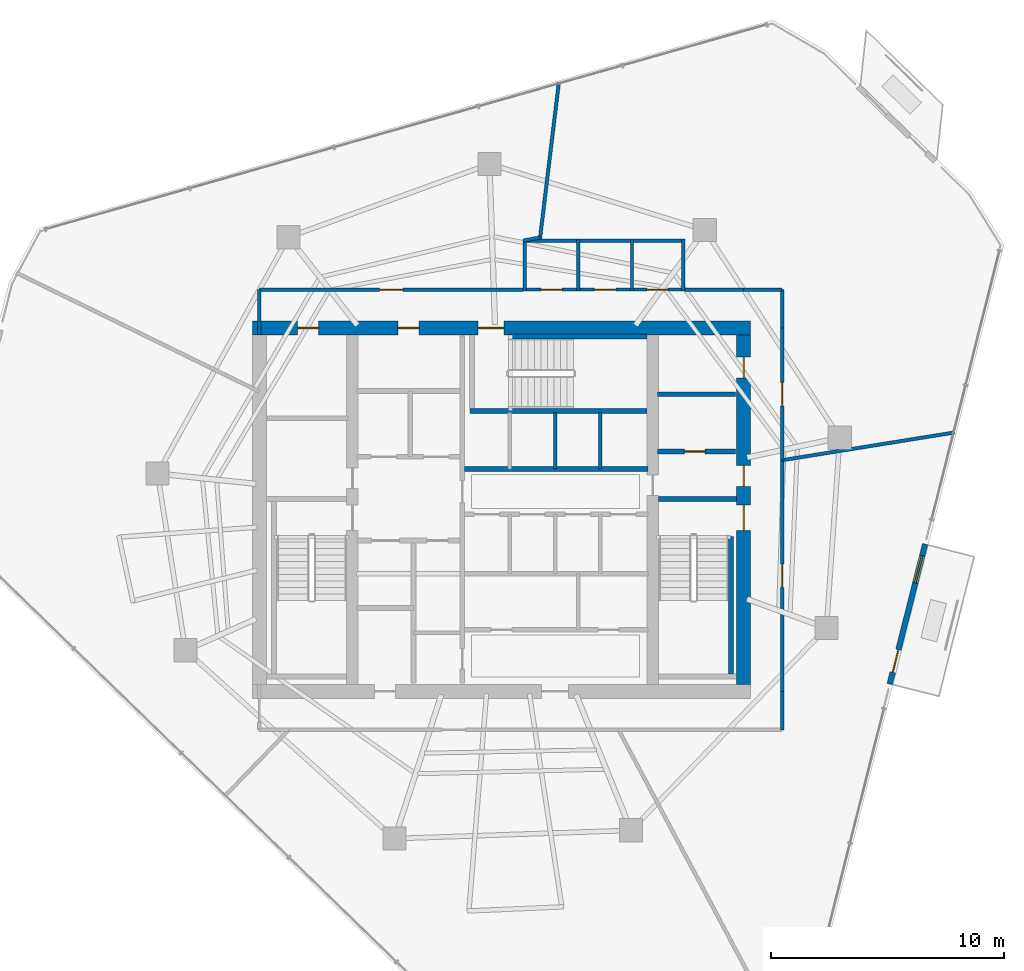
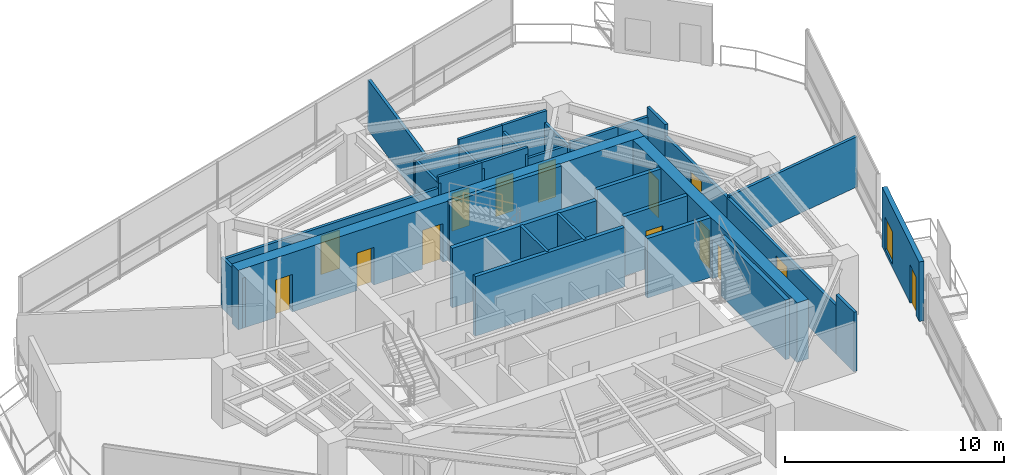
# One storey, part 16 of 19: 33 walls, 14 doors, 1 window, 15 openings.
"""IFC4 building model written with IfcOpenShell, lengths in metres."""

import ifcopenshell
import ifcopenshell.guid

model = None  # the IFC model being written
_history = None  # IfcOwnerHistory: only IFC2X3 demands one
_inside = {}  # id of a spatial element -> (the spatial element, [elements in it])
_under = {}  # id of a project, library or spatial element -> (it, [spatial elements below it])
_declared = {}  # id of a project -> (the project, [libraries it declares])
_typed = {}  # id of a type object -> (the type object, [elements of that type])
_made_of = {}  # id of a material, layer set ... -> (it, [elements and type objects made of it])


def new_model(schema):
    """Start an empty IFC model of exactly this schema.

    Asked for "IFC4X3", IfcOpenShell would pick the latest addendum, in which some entities
    have other attributes; the version numbers below select the first issue.
    IFC2X3 requires an IfcOwnerHistory on every rooted entity: one is made here for all.
    """
    global model, _history
    if schema == "IFC4X3":
        model = ifcopenshell.file(schema_version=(4, 3, 0, 0))
    else:
        model = ifcopenshell.file(schema=schema)
    _inside.clear()
    _under.clear()
    _declared.clear()
    _typed.clear()
    _made_of.clear()
    _history = None
    if model.schema == "IFC2X3":
        org = make("IfcOrganization", Name="unknown")
        user = make(
            "IfcPersonAndOrganization",
            ThePerson=make("IfcPerson", FamilyName="unknown"),
            TheOrganization=org,
        )
        app = make(
            "IfcApplication",
            ApplicationDeveloper=org,
            Version="unknown",
            ApplicationFullName="unknown",
            ApplicationIdentifier="unknown",
        )
        _history = make(
            "IfcOwnerHistory",
            OwningUser=user,
            OwningApplication=app,
            ChangeAction="ADDED",
            CreationDate=0,
        )
    return model


def make(cls, **values):
    """One entity of the class cls with the attributes given. An attribute that is None is left unset."""
    return model.create_entity(
        cls, **{name: value for name, value in values.items() if value is not None}
    )


def rooted(cls, **values):
    """An entity with a GlobalId (a new one), such as an element, a storey or a relation."""
    return make(cls, GlobalId=ifcopenshell.guid.new(), OwnerHistory=_history, **values)


def si_unit(unit_type, name, prefix=None):
    """IfcSIUnit, for example si_unit("LENGTHUNIT", "METRE", prefix="MILLI")."""
    return make("IfcSIUnit", UnitType=unit_type, Prefix=prefix, Name=name)


def assignment(units):
    """IfcUnitAssignment: the units of a project."""
    return None if units is None else make("IfcUnitAssignment", Units=units)


def point(xyz):
    """IfcCartesianPoint."""
    return None if xyz is None else make("IfcCartesianPoint", Coordinates=xyz)


def direction(xyz):
    """IfcDirection."""
    return None if xyz is None else make("IfcDirection", DirectionRatios=xyz)


def frame(location, z_axis=None, x_axis=None):
    """IfcAxis2Placement3D, a coordinate frame: its origin and axes. An axis left out is left unset."""
    return make(
        "IfcAxis2Placement3D",
        Location=point(location),
        Axis=direction(z_axis),
        RefDirection=direction(x_axis),
    )


def frame_2d(location, x_axis=None):
    """IfcAxis2Placement2D, a coordinate frame in the plane: its origin and x axis."""
    return make(
        "IfcAxis2Placement2D", Location=point(location), RefDirection=direction(x_axis)
    )


def origin():
    """The frame at (0, 0, 0) with its axes left unset."""
    return frame((0.0, 0.0, 0.0))


def place(relative_to, where):
    """IfcLocalPlacement: puts the frame where relative to a parent placement (None: the world)."""
    return make(
        "IfcLocalPlacement", PlacementRelTo=relative_to, RelativePlacement=where
    )


def context(
    kind, dimensions, precision=None, world=None, true_north=None, identifier=None
):
    """IfcGeometricRepresentationContext, for example the 3D "Model" context."""
    return make(
        "IfcGeometricRepresentationContext",
        ContextIdentifier=identifier,
        ContextType=kind,
        CoordinateSpaceDimension=dimensions,
        Precision=precision,
        WorldCoordinateSystem=world,
        TrueNorth=true_north,
    )


def subcontext(parent, identifier, kind, view, scale=None):
    """IfcGeometricRepresentationSubContext, for example "Body" below "Model"."""
    return make(
        "IfcGeometricRepresentationSubContext",
        ContextIdentifier=identifier,
        ContextType=kind,
        ParentContext=parent,
        TargetScale=scale,
        TargetView=view,
    )


def project(units=None, contexts=None):
    """IfcProject with its units and contexts."""
    return rooted(
        "IfcProject",
        Name="project",
        RepresentationContexts=contexts,
        UnitsInContext=assignment(units),
    )


def spatial(cls, under=None, at=None, **own):
    """A site, building, storey or space (cls), placed at a placement, below another one or the project."""
    s = rooted(cls, ObjectPlacement=at, **own)
    if under is not None:
        _under.setdefault(under.id(), (under, []))[1].append(s)
    return s


def profile(cls, at=None, kind="AREA", **sizes):
    """A parametric profile (cls). Its sizes go by their IFC names, for example OverallWidth=200.0."""
    return make(cls, ProfileType=kind, Position=at, **sizes)


def rectangle(**sizes):
    """IfcRectangleProfileDef."""
    return profile("IfcRectangleProfileDef", **sizes)


def extrude(swept, where, along, depth):
    """IfcExtrudedAreaSolid: the profile swept, set in the frame where, extruded along a direction by depth."""
    return make(
        "IfcExtrudedAreaSolid",
        SweptArea=swept,
        Position=where,
        ExtrudedDirection=direction(along),
        Depth=depth,
    )


def shape(context_of_items, identifier, shape_type, items):
    """IfcShapeRepresentation: the items that make up one representation, for example the "Body"."""
    return make(
        "IfcShapeRepresentation",
        ContextOfItems=context_of_items,
        RepresentationIdentifier=identifier,
        RepresentationType=shape_type,
        Items=items,
    )


def material(Name=None, Category=None):
    """IfcMaterial."""
    return make("IfcMaterial", Name=Name, Category=Category)


def layer(
    of_material, thickness, ventilated=None, Name=None, Category=None, Priority=None
):
    """IfcMaterialLayer: one layer of a wall or slab, of a material (None: an air gap)."""
    return make(
        "IfcMaterialLayer",
        Material=of_material,
        LayerThickness=thickness,
        IsVentilated=ventilated,
        Name=Name,
        Category=Category,
        Priority=Priority,
    )


def layer_set(layers, Name=None):
    """IfcMaterialLayerSet."""
    return make("IfcMaterialLayerSet", MaterialLayers=layers, LayerSetName=Name)


def made_of(thing, what):
    """Note that an element or type object is made of a material, layer set ...; save() writes the relation."""
    if what is not None:
        _made_of.setdefault(what.id(), (what, []))[1].append(thing)
    return thing


def type_object(cls, material=None, **own):
    """A type object (cls), such as IfcWallType, which elements share."""
    return made_of(rooted(cls, **own), material)


def element(
    cls,
    number,
    at=None,
    inside=None,
    cuts=None,
    type_object=None,
    material=None,
    context=None,
    identifier="Body",
    shape_type=None,
    held_by="IfcProductDefinitionShape",
    body=None,
    shapes=None,
    **own,
):
    """One element of the class cls, such as IfcWall. Its Tag is "e" and its number.

    at: its placement. inside: the storey or other place that contains it. cuts: it is an
    opening in that element (IfcRelVoidsElement). A single representation is given by context,
    identifier, shape_type and body (its items); several are given by shapes. held_by: the class
    of the entity that holds the representations. save() writes the other relations.
    """
    e = rooted(cls, Tag="e%d" % number, ObjectPlacement=at, **own)
    if body is not None:
        shapes = [shape(context, identifier, shape_type, body)]
    if shapes is not None:
        e.Representation = make(held_by, Representations=shapes)
    if inside is not None:
        _inside.setdefault(inside.id(), (inside, []))[1].append(e)
    if cuts is not None:
        rooted(
            "IfcRelVoidsElement", RelatingBuildingElement=cuts, RelatedOpeningElement=e
        )
    if type_object is not None:
        _typed.setdefault(type_object.id(), (type_object, []))[1].append(e)
    return made_of(e, material)


def fill(opening, filler):
    """IfcRelFillsElement: the door or window that sits in an opening."""
    return rooted(
        "IfcRelFillsElement",
        RelatingOpeningElement=opening,
        RelatedBuildingElement=filler,
    )


def aggregate(whole, parts):
    """IfcRelAggregates: a whole, such as a stair, and the parts it consists of."""
    return rooted("IfcRelAggregates", RelatingObject=whole, RelatedObjects=parts)


def save(model, path):
    """Write the relations noted so far, then the file.

    IfcRelAggregates (storeys below a building ...), IfcRelContainedInSpatialStructure (elements
    in a storey), IfcRelDefinesByType, IfcRelAssociatesMaterial and IfcRelDeclares: one each for
    every whole, place, type object, material and project.
    """
    for whole, parts in _under.values():
        aggregate(whole, parts)
    for where, things in _inside.values():
        rooted(
            "IfcRelContainedInSpatialStructure",
            RelatedElements=things,
            RelatingStructure=where,
        )
    for kind, things in _typed.values():
        rooted("IfcRelDefinesByType", RelatedObjects=things, RelatingType=kind)
    for what, things in _made_of.values():
        rooted("IfcRelAssociatesMaterial", RelatedObjects=things, RelatingMaterial=what)
    for by, libraries in _declared.values():
        rooted("IfcRelDeclares", RelatingContext=by, RelatedDefinitions=libraries)
    model.write(path)


model = new_model("IFC4")

# Units and contexts
model_context = context("Model", 3, precision=1e-05, world=origin(), true_north=direction((0.0, 1.0)))
body_context = subcontext(model_context, "Body", "Model", "MODEL_VIEW")
ifc_project = project(units=[si_unit("LENGTHUNIT", "METRE"), si_unit("AREAUNIT", "SQUARE_METRE"), si_unit("VOLUMEUNIT", "CUBIC_METRE"), si_unit("PLANEANGLEUNIT", "RADIAN"), si_unit("MASSUNIT", "GRAM", prefix="KILO")], contexts=[model_context])

# Site, building, storey
site_placement = place(None, origin())
site = spatial("IfcSite", under=ifc_project, at=site_placement, CompositionType="ELEMENT")
building_placement = place(site_placement, origin())
building = spatial("IfcBuilding", under=site, at=building_placement, Name="Qarnah Convention Tower", CompositionType="ELEMENT")
storey_placement = place(building_placement, frame((0.0, 0.0, 125.699951171875)))
storey = spatial("IfcBuildingStorey", under=building, at=storey_placement, Name="L33", CompositionType="ELEMENT", Elevation=125.699951171875)

# Wall, openings, doors
ifc_material_1 = material(Name="Concrete C60/75", Category="concrete")
ifc_layer_1 = layer(ifc_material_1, 0.60009765625)
ifc_layer_set_1 = layer_set([ifc_layer_1], Name="Concrete C60/75")
wall_type_1 = type_object("IfcWallType", Name="WL-CORE-600", PredefinedType="SHEAR", material=ifc_layer_set_1)
wall_1_placement = place(storey_placement, frame((26.5, 34.199951171875, 0.0), z_axis=(0.0, 0.0, 1.0), x_axis=(1.0, 0.0, 0.0)))
wall_1 = element("IfcWall", 1, at=wall_1_placement, inside=storey, type_object=wall_type_1, Name="L33 core north shear wall", PredefinedType="SHEAR", context=body_context, shape_type="SweptSolid", body=[
    extrude(rectangle(XDim=21.39990234375, YDim=0.60009765625, at=frame_2d((10.699951171875, 0.0))), origin(), (0.0, 0.0, 1.0), 3.320068359375),
])
opening_1_placement = place(wall_1_placement, frame((9.699951171875, 0.0, 0.0)))
opening_1 = element("IfcOpeningElement", 2, at=opening_1_placement, cuts=wall_1, Name="Opening D-3303", PredefinedType="OPENING", context=body_context, shape_type="SweptSolid", body=[
    extrude(rectangle(XDim=1.10009765625, YDim=2.14990234375, at=frame_2d((0.550048828125, 1.074951171875))), frame((0.0, 0.31005859375, 0.0), z_axis=(0.0, -1.0, 0.0), x_axis=(1.0, 0.0, 0.0)), (0.0, 0.0, 1.0), 0.6201171875),
])
opening_2_placement = place(wall_1_placement, frame((1.949951171875, 0.0, 0.0)))
opening_2 = element("IfcOpeningElement", 3, at=opening_2_placement, cuts=wall_1, Name="Opening D-3309", PredefinedType="OPENING", context=body_context, shape_type="SweptSolid", body=[
    extrude(rectangle(XDim=0.89990234375, YDim=2.10009765625, at=frame_2d((0.449951171875, 1.050048828125))), frame((0.0, 0.31005859375, 0.0), z_axis=(0.0, -1.0, 0.0), x_axis=(1.0, 0.0, 0.0)), (0.0, 0.0, 1.0), 0.6201171875),
])
opening_3_placement = place(wall_1_placement, frame((6.25, 0.0, 0.0)))
opening_3 = element("IfcOpeningElement", 4, at=opening_3_placement, cuts=wall_1, Name="Opening D-3310", PredefinedType="OPENING", context=body_context, shape_type="SweptSolid", body=[
    extrude(rectangle(XDim=0.89990234375, YDim=2.10009765625, at=frame_2d((0.449951171875, 1.050048828125))), frame((0.0, 0.31005859375, 0.0), z_axis=(0.0, -1.0, 0.0), x_axis=(1.0, 0.0, 0.0)), (0.0, 0.0, 1.0), 0.6201171875),
])
ifc_material_2 = material(Name="Structural steel S355JR", Category="steel")
door_type_1 = type_object("IfcDoorType", Name="DT-RISER-900", OperationType="NOTDEFINED", PredefinedType="DOOR", material=ifc_material_2)
door_1_placement = place(opening_2_placement, origin())
door_1 = element("IfcDoor", 5, at=door_1_placement, inside=storey, type_object=door_type_1, Name="Door D-3309", OperationType="SINGLE_SWING_LEFT", OverallHeight=2.10009765625, OverallWidth=0.89990234375, PredefinedType="DOOR", context=body_context, shape_type="SweptSolid", body=[
    extrude(rectangle(XDim=0.89990234375, YDim=2.10009765625, at=frame_2d((0.449951171875, 1.050048828125))), frame((0.0, 0.02490234375, 0.0), z_axis=(0.0, -1.0, 0.0), x_axis=(1.0, 0.0, 0.0)), (0.0, 0.0, 1.0), 0.050048828125),
])
fill(opening_2, door_1)
door_2_placement = place(opening_3_placement, origin())
door_2 = element("IfcDoor", 6, at=door_2_placement, inside=storey, type_object=door_type_1, Name="Door D-3310", OperationType="SINGLE_SWING_RIGHT", OverallHeight=2.10009765625, OverallWidth=0.89990234375, PredefinedType="DOOR", context=body_context, shape_type="SweptSolid", body=[
    extrude(rectangle(XDim=0.89990234375, YDim=2.10009765625, at=frame_2d((0.449951171875, 1.050048828125))), frame((0.0, 0.02490234375, 0.0), z_axis=(0.0, -1.0, 0.0), x_axis=(1.0, 0.0, 0.0)), (0.0, 0.0, 1.0), 0.050048828125),
])
fill(opening_3, door_2)
door_type_2 = type_object("IfcDoorType", Name="DT-STAIR-1100", OperationType="NOTDEFINED", PredefinedType="DOOR", material=ifc_material_2)
door_3_placement = place(opening_1_placement, origin())
door_3 = element("IfcDoor", 7, at=door_3_placement, inside=storey, type_object=door_type_2, Name="Door D-3303", OperationType="SINGLE_SWING_LEFT", OverallHeight=2.14990234375, OverallWidth=1.10009765625, PredefinedType="DOOR", context=body_context, shape_type="SweptSolid", body=[
    extrude(rectangle(XDim=1.10009765625, YDim=2.14990234375, at=frame_2d((0.550048828125, 1.074951171875))), frame((0.0, 0.02490234375, 0.0), z_axis=(0.0, -1.0, 0.0), x_axis=(1.0, 0.0, 0.0)), (0.0, 0.0, 1.0), 0.050048828125),
])
fill(opening_1, door_3)

wall_2_placement = place(storey_placement, frame((47.60009765625, 18.89990234375, 0.0), z_axis=(0.0, 0.0, 1.0), x_axis=(0.0, 1.0, 0.0)))
wall_2 = element("IfcWall", 8, at=wall_2_placement, inside=storey, type_object=wall_type_1, Name="L33 core east shear wall", PredefinedType="SHEAR", context=body_context, shape_type="SweptSolid", body=[
    extrude(rectangle(XDim=15.0, YDim=0.60009765625, at=frame_2d((7.5, 0.0))), origin(), (0.0, 0.0, 1.0), 3.320068359375),
])
opening_4_placement = place(wall_2_placement, frame((6.60009765625, 0.0, 0.0)))
opening_4 = element("IfcOpeningElement", 9, at=opening_4_placement, cuts=wall_2, Name="Opening D-3302", PredefinedType="OPENING", context=body_context, shape_type="SweptSolid", body=[
    extrude(rectangle(XDim=1.10009765625, YDim=2.14990234375, at=frame_2d((0.550048828125, 1.074951171875))), frame((0.0, 0.31005859375, 0.0), z_axis=(0.0, -1.0, 0.0), x_axis=(1.0, 0.0, 0.0)), (0.0, 0.0, 1.0), 0.6201171875),
])
opening_5_placement = place(wall_2_placement, frame((8.5, 0.0, 0.0)))
opening_5 = element("IfcOpeningElement", 10, at=opening_5_placement, cuts=wall_2, Name="Opening D-3306", PredefinedType="OPENING", context=body_context, shape_type="SweptSolid", body=[
    extrude(rectangle(XDim=0.89990234375, YDim=2.10009765625, at=frame_2d((0.449951171875, 1.050048828125))), frame((0.0, 0.31005859375, 0.0), z_axis=(0.0, -1.0, 0.0), x_axis=(1.0, 0.0, 0.0)), (0.0, 0.0, 1.0), 0.6201171875),
])
opening_6_placement = place(wall_2_placement, frame((13.14990234375, 0.0, 0.0)))
opening_6 = element("IfcOpeningElement", 11, at=opening_6_placement, cuts=wall_2, Name="Opening D-3312", PredefinedType="OPENING", context=body_context, shape_type="SweptSolid", body=[
    extrude(rectangle(XDim=0.89990234375, YDim=2.10009765625, at=frame_2d((0.449951171875, 1.050048828125))), frame((0.0, 0.31005859375, 0.0), z_axis=(0.0, -1.0, 0.0), x_axis=(1.0, 0.0, 0.0)), (0.0, 0.0, 1.0), 0.6201171875),
])
door_4_placement = place(opening_5_placement, origin())
door_4 = element("IfcDoor", 12, at=door_4_placement, inside=storey, type_object=door_type_1, Name="Door D-3306", OperationType="SINGLE_SWING_RIGHT", OverallHeight=2.10009765625, OverallWidth=0.89990234375, PredefinedType="DOOR", context=body_context, shape_type="SweptSolid", body=[
    extrude(rectangle(XDim=0.89990234375, YDim=2.10009765625, at=frame_2d((0.449951171875, 1.050048828125))), frame((0.0, 0.02490234375, 0.0), z_axis=(0.0, -1.0, 0.0), x_axis=(1.0, 0.0, 0.0)), (0.0, 0.0, 1.0), 0.050048828125),
])
fill(opening_5, door_4)
door_5_placement = place(opening_6_placement, origin())
door_5 = element("IfcDoor", 13, at=door_5_placement, inside=storey, type_object=door_type_1, Name="Door D-3312", OperationType="SINGLE_SWING_RIGHT", OverallHeight=2.10009765625, OverallWidth=0.89990234375, PredefinedType="DOOR", context=body_context, shape_type="SweptSolid", body=[
    extrude(rectangle(XDim=0.89990234375, YDim=2.10009765625, at=frame_2d((0.449951171875, 1.050048828125))), frame((0.0, 0.02490234375, 0.0), z_axis=(0.0, -1.0, 0.0), x_axis=(1.0, 0.0, 0.0)), (0.0, 0.0, 1.0), 0.050048828125),
])
fill(opening_6, door_5)
door_6_placement = place(opening_4_placement, origin())
door_6 = element("IfcDoor", 14, at=door_6_placement, inside=storey, type_object=door_type_2, Name="Door D-3302", OperationType="SINGLE_SWING_RIGHT", OverallHeight=2.14990234375, OverallWidth=1.10009765625, PredefinedType="DOOR", context=body_context, shape_type="SweptSolid", body=[
    extrude(rectangle(XDim=1.10009765625, YDim=2.14990234375, at=frame_2d((0.550048828125, 1.074951171875))), frame((0.0, 0.02490234375, 0.0), z_axis=(0.0, -1.0, 0.0), x_axis=(1.0, 0.0, 0.0)), (0.0, 0.0, 1.0), 0.050048828125),
])
fill(opening_4, door_6)

# Wall, opening, door
ifc_material_3 = material(Name="Concrete C45/55", Category="concrete")
ifc_layer_2 = layer(ifc_material_3, 0.199951171875)
ifc_layer_set_2 = layer_set([ifc_layer_2], Name="Concrete C45/55")
wall_type_2 = type_object("IfcWallType", Name="WL-CORE-PART-200", PredefinedType="SOLIDWALL", material=ifc_layer_set_2)
wall_3_placement = place(storey_placement, frame((43.89990234375, 28.89990234375, 0.0), z_axis=(0.0, 0.0, 1.0), x_axis=(1.0, 0.0, 0.0)))
wall_3 = element("IfcWall", 15, at=wall_3_placement, inside=storey, type_object=wall_type_2, Name="L33 interior wall IW-L33-EVSTN", PredefinedType="SOLIDWALL", context=body_context, shape_type="SweptSolid", body=[
    extrude(rectangle(XDim=3.35009765625, YDim=0.199951171875, at=frame_2d((1.675048828125, 0.0))), origin(), (0.0, 0.0, 1.0), 3.320068359375),
])
opening_7_placement = place(wall_3_placement, frame((1.14990234375, 0.0, 0.0)))
opening_7 = element("IfcOpeningElement", 16, at=opening_7_placement, cuts=wall_3, Name="Opening D-3311", PredefinedType="OPENING", context=body_context, shape_type="SweptSolid", body=[
    extrude(rectangle(XDim=0.89990234375, YDim=2.10009765625, at=frame_2d((0.449951171875, 1.050048828125))), frame((0.0, 0.10986328125, 0.0), z_axis=(0.0, -1.0, 0.0), x_axis=(1.0, 0.0, 0.0)), (0.0, 0.0, 1.0), 0.219970703125),
])
door_7_placement = place(opening_7_placement, origin())
door_7 = element("IfcDoor", 17, at=door_7_placement, inside=storey, type_object=door_type_1, Name="Door D-3311", OperationType="SINGLE_SWING_LEFT", OverallHeight=2.10009765625, OverallWidth=0.89990234375, PredefinedType="DOOR", context=body_context, shape_type="SweptSolid", body=[
    extrude(rectangle(XDim=0.89990234375, YDim=2.10009765625, at=frame_2d((0.449951171875, 1.050048828125))), frame((0.0, 0.02490234375, 0.0), z_axis=(0.0, -1.0, 0.0), x_axis=(1.0, 0.0, 0.0)), (0.0, 0.0, 1.0), 0.050048828125),
])
fill(opening_7, door_7)

# Walls
wall_4_placement = place(storey_placement, frame((43.89990234375, 31.35009765625, 0.0), z_axis=(0.0, 0.0, 1.0), x_axis=(1.0, 0.0, 0.0)))
element("IfcWall", 18, at=wall_4_placement, inside=storey, type_object=wall_type_2, Name="L33 interior wall IW-L33-WTRN", PredefinedType="SOLIDWALL", context=body_context, shape_type="SweptSolid", body=[
    extrude(rectangle(XDim=3.35009765625, YDim=0.199951171875, at=frame_2d((1.675048828125, 0.0))), origin(), (0.0, 0.0, 1.0), 3.320068359375),
])
wall_5_placement = place(storey_placement, frame((35.6201171875, 28.14990234375, 0.0), z_axis=(0.0, 0.0, 1.0), x_axis=(1.0, 0.0, 0.0)))
element("IfcWall", 19, at=wall_5_placement, inside=storey, type_object=wall_type_2, Name="L33 interior wall IW-L33-PHS", PredefinedType="SOLIDWALL", context=body_context, shape_type="SweptSolid", body=[
    extrude(rectangle(XDim=7.8798828125, YDim=0.199951171875, at=frame_2d((3.93994140625, 0.0))), origin(), (0.0, 0.0, 1.0), 3.320068359375),
])
ifc_layer_3 = layer(ifc_material_1, 0.219970703125)
ifc_layer_set_3 = layer_set([ifc_layer_3], Name="Concrete C60/75")
wall_type_3 = type_object("IfcWallType", Name="WL-CORE-STAIR-220", PredefinedType="SHEAR", material=ifc_layer_set_3)
wall_6_placement = place(storey_placement, frame((43.949951171875, 26.860107421875, 0.0), z_axis=(0.0, 0.0, 1.0), x_axis=(1.0, 0.0, 0.0)))
element("IfcWall", 20, at=wall_6_placement, inside=storey, type_object=wall_type_3, Name="L33 stair shaft shear wall SW-L33-ST2N", PredefinedType="SHEAR", context=body_context, shape_type="SweptSolid", body=[
    extrude(rectangle(XDim=3.35009765625, YDim=0.219970703125, at=frame_2d((1.675048828125, 0.0))), origin(), (0.0, 0.0, 1.0), 3.320068359375),
])
wall_7_placement = place(storey_placement, frame((47.06005859375, 19.35009765625, 0.0), z_axis=(0.0, 0.0, 1.0), x_axis=(0.0, 1.0, 0.0)))
element("IfcWall", 21, at=wall_7_placement, inside=storey, type_object=wall_type_3, Name="L33 stair shaft shear wall SW-L33-ST2E", PredefinedType="SHEAR", context=body_context, shape_type="SweptSolid", body=[
    extrude(rectangle(XDim=5.89990234375, YDim=0.219970703125, at=frame_2d((2.949951171875, 0.0))), origin(), (0.0, 0.0, 1.0), 3.320068359375),
])
wall_8_placement = place(storey_placement, frame((35.840087890625, 30.639892578125, 0.0), z_axis=(0.0, 0.0, 1.0), x_axis=(1.0, 0.0, 0.0)))
element("IfcWall", 22, at=wall_8_placement, inside=storey, type_object=wall_type_3, Name="L33 stair shaft shear wall SW-L33-ST3S", PredefinedType="SHEAR", context=body_context, shape_type="SweptSolid", body=[
    extrude(rectangle(XDim=7.60986328125, YDim=0.219970703125, at=frame_2d((3.804931640625, 0.0))), origin(), (0.0, 0.0, 1.0), 3.320068359375),
])
wall_9_placement = place(storey_placement, frame((37.550048828125, 33.840087890625, 0.0), z_axis=(0.0, 0.0, 1.0), x_axis=(1.0, 0.0, 0.0)))
element("IfcWall", 23, at=wall_9_placement, inside=storey, type_object=wall_type_3, Name="L33 stair shaft shear wall SW-L33-ST3N", PredefinedType="SHEAR", context=body_context, shape_type="SweptSolid", body=[
    extrude(rectangle(XDim=5.89990234375, YDim=0.219970703125, at=frame_2d((2.949951171875, 0.0))), origin(), (0.0, 0.0, 1.0), 3.320068359375),
])

# Wall, openings, door, window
ifc_material_4 = material(Name="Precast concrete C45/55", Category="concrete")
ifc_layer_4 = layer(ifc_material_4, 0.239990234375)
ifc_layer_set_4 = layer_set([ifc_layer_4], Name="Precast concrete C45/55")
wall_type_4 = type_object("IfcWallType", Name="WL-EXT-BAL-240", PredefinedType="SOLIDWALL", material=ifc_layer_set_4)
wall_10_placement = place(storey_placement, frame((55.389892578125, 24.924072265625, 0.0), z_axis=(0.0, 0.0, 1.0), x_axis=(-0.244638154376, -0.969614445759, 0.0)))
wall_10 = element("IfcWall", 24, at=wall_10_placement, inside=storey, type_object=wall_type_4, Name="L33 loggia threshold wall SG-L33", PredefinedType="SOLIDWALL", context=body_context, shape_type="SweptSolid", body=[
    extrude(rectangle(XDim=6.200439453125, YDim=0.239990234375, at=frame_2d((3.10009765625, 0.0))), origin(), (0.0, 0.0, 1.0), 3.320068359375),
])
opening_8_placement = place(wall_10_placement, frame((4.679931640625, 0.0, 0.0)))
opening_8 = element("IfcOpeningElement", 25, at=opening_8_placement, cuts=wall_10, Name="Opening BD-3304", PredefinedType="OPENING", context=body_context, shape_type="SweptSolid", body=[
    extrude(rectangle(XDim=1.0, YDim=2.14990234375, at=frame_2d((0.5, 1.074951171875))), frame((0.0, 0.1298828125, 0.0), z_axis=(0.0, -1.0, 0.0), x_axis=(1.0, 0.0, 0.0)), (0.0, 0.0, 1.0), 0.260009765625),
])
opening_9_placement = place(wall_10_placement, frame((0.52001953125, 0.0, 0.199951171875)))
opening_9 = element("IfcOpeningElement", 26, at=opening_9_placement, cuts=wall_10, Name="Opening WN5", PredefinedType="OPENING", context=body_context, shape_type="SweptSolid", body=[
    extrude(rectangle(XDim=1.199951171875, YDim=1.800048828125, at=frame_2d((0.60009765625, 0.89990234375))), frame((0.0, 0.1298828125, 0.0), z_axis=(0.0, -1.0, 0.0), x_axis=(1.0, 0.0, 0.0)), (0.0, 0.0, 1.0), 0.260009765625),
])
ifc_material_5 = material(Name="Black anodised aluminium", Category="aluminium")
door_type_3 = type_object("IfcDoorType", Name="DT-BAL-1000", OperationType="NOTDEFINED", PredefinedType="DOOR", material=ifc_material_5)
door_8_placement = place(opening_8_placement, origin())
door_8 = element("IfcDoor", 27, at=door_8_placement, inside=storey, type_object=door_type_3, Name="L33 balcony terrace door SG-L33", OperationType="SINGLE_SWING_RIGHT", OverallHeight=2.14990234375, OverallWidth=1.0, PredefinedType="DOOR", context=body_context, shape_type="SweptSolid", body=[
    extrude(rectangle(XDim=1.0, YDim=2.14990234375, at=frame_2d((0.5, 1.074951171875))), frame((0.0, 0.02490234375, 0.0), z_axis=(0.0, -1.0, 0.0), x_axis=(1.0, 0.0, 0.0)), (0.0, 0.0, 1.0), 0.050048828125),
])
fill(opening_8, door_8)
ifc_material_6 = material(Name="Tempered Low-E dark glass", Category="glass")
window_type = type_object("IfcWindowType", Name="WT-BAL-1200X1800", PartitioningType="SINGLE_PANEL", PredefinedType="WINDOW", material=ifc_material_6)
window_placement = place(opening_9_placement, origin())
window = element("IfcWindow", 28, at=window_placement, inside=storey, type_object=window_type, Name="Window BW-SG-L33", OverallHeight=1.800048828125, OverallWidth=1.199951171875, PartitioningType="SINGLE_PANEL", PredefinedType="WINDOW", context=body_context, shape_type="SweptSolid", body=[
    extrude(rectangle(XDim=1.199951171875, YDim=1.800048828125, at=frame_2d((0.60009765625, 0.89990234375))), frame((0.0, 0.030029296875, 0.0), z_axis=(0.0, -1.0, 0.0), x_axis=(1.0, 0.0, 0.0)), (0.0, 0.0, 1.0), 0.06005859375),
])
fill(opening_9, window)

# Walls
ifc_material_7 = material(Name="Gypsum partition board")
ifc_layer_5 = layer(ifc_material_7, 0.14990234375)
ifc_layer_set_5 = layer_set([ifc_layer_5], Name="Gypsum partition board")
wall_type_5 = type_object("IfcWallType", Name="WL-SUITE-150", PredefinedType="PARTITIONING", material=ifc_layer_set_5)
for number, where, z_axis, x_axis, name in (
    (29, (39.5, 28.14990234375, 0.0), (0.0, 0.0, 1.0), (0.0, 1.0, 0.0), "L33 interior wall IW-L33-PHD2"),
    (30, (41.449951171875, 28.14990234375, 0.0), (0.0, 0.0, 1.0), (0.0, 1.0, 0.0), "L33 interior wall IW-L33-PHD3"),
):
    element("IfcWall", number, at=place(storey_placement, frame(where, z_axis=z_axis, x_axis=x_axis)), inside=storey, type_object=wall_type_5, Name=name, PredefinedType="PARTITIONING", context=body_context, shape_type="SweptSolid", body=[
        extrude(rectangle(XDim=2.43017578125, YDim=0.14990234375, at=frame_2d((1.215087890625, 0.0))), origin(), (0.0, 0.0, 1.0), 3.320068359375),
    ])
wall_11_placement = place(storey_placement, frame((39.6650390625, 44.74609375, 0.0), z_axis=(0.0, 0.0, 1.0), x_axis=(-0.120078943637, -0.992764346305, 0.0)))
element("IfcWall", 31, at=wall_11_placement, inside=storey, type_object=wall_type_5, Name="L33 interior wall IW-L33-R-11", PredefinedType="PARTITIONING", context=body_context, shape_type="SweptSolid", body=[
    extrude(rectangle(XDim=6.845703125, YDim=0.14990234375, at=frame_2d((3.4228515625, 0.0))), origin(), (0.0, 0.0, 1.0), 2.804931640625),
])
wall_12_placement = place(storey_placement, frame((45.070068359375, 35.85009765625, 0.0), z_axis=(0.0, 0.0, 1.0), x_axis=(1.0, 0.0, 0.0)))
element("IfcWall", 32, at=wall_12_placement, inside=storey, type_object=wall_type_5, Name="L33 interior wall IW-L33-R-12", PredefinedType="PARTITIONING", context=body_context, shape_type="SweptSolid", body=[
    extrude(rectangle(XDim=2.530029296875, YDim=0.14990234375, at=frame_2d((1.26513671875, 0.0))), origin(), (0.0, 0.0, 1.0), 2.804931640625),
])
wall_13_placement = place(storey_placement, frame((47.60009765625, 35.85009765625, 0.0), z_axis=(0.0, 0.0, 1.0), x_axis=(1.0, 0.0, 0.0)))
element("IfcWall", 33, at=wall_13_placement, inside=storey, type_object=wall_type_5, Name="L33 interior wall IW-L33-R-13", PredefinedType="PARTITIONING", context=body_context, shape_type="SweptSolid", body=[
    extrude(rectangle(XDim=1.64990234375, YDim=0.14990234375, at=frame_2d((0.824951171875, 0.0))), origin(), (0.0, 0.0, 1.0), 2.804931640625),
])
wall_14_placement = place(storey_placement, frame((49.25, 35.85009765625, 0.0), z_axis=(0.0, 0.0, 1.0), x_axis=(0.0, -1.0, 0.0)))
element("IfcWall", 34, at=wall_14_placement, inside=storey, type_object=wall_type_5, Name="L33 interior wall IW-L33-R-14", PredefinedType="PARTITIONING", context=body_context, shape_type="SweptSolid", body=[
    extrude(rectangle(XDim=1.650146484375, YDim=0.14990234375, at=frame_2d((0.8251953125, 0.0))), origin(), (0.0, 0.0, 1.0), 3.320068359375),
])

# Wall, opening, door
wall_15_placement = place(storey_placement, frame((49.25, 34.199951171875, 0.0), z_axis=(0.0, 0.0, 1.0), x_axis=(0.0, -1.0, 0.0)))
wall_15 = element("IfcWall", 35, at=wall_15_placement, inside=storey, type_object=wall_type_5, Name="L33 interior wall IW-L33-R-15", PredefinedType="PARTITIONING", context=body_context, shape_type="SweptSolid", body=[
    extrude(rectangle(XDim=5.675048828125, YDim=0.14990234375, at=frame_2d((2.83740234375, 0.0))), origin(), (0.0, 0.0, 1.0), 2.68701171875),
])
opening_10_placement = place(wall_15_placement, frame((2.337890625, 0.0, 0.0)))
opening_10 = element("IfcOpeningElement", 36, at=opening_10_placement, cuts=wall_15, Name="Opening D-3321", PredefinedType="OPENING", context=body_context, shape_type="SweptSolid", body=[
    extrude(rectangle(XDim=1.0, YDim=2.14990234375, at=frame_2d((0.5, 1.074951171875))), frame((0.0, 0.0849609375, 0.0), z_axis=(0.0, -1.0, 0.0), x_axis=(1.0, 0.0, 0.0)), (0.0, 0.0, 1.0), 0.169921875),
])
ifc_material_8 = material(Name="Oak timber veneer", Category="wood")
door_type_4 = type_object("IfcDoorType", Name="DT-OFFICE-1000", OperationType="NOTDEFINED", PredefinedType="DOOR", material=ifc_material_8)
door_9_placement = place(opening_10_placement, origin())
door_9 = element("IfcDoor", 37, at=door_9_placement, inside=storey, type_object=door_type_4, Name="Door D-3321", OperationType="SINGLE_SWING_LEFT", OverallHeight=2.14990234375, OverallWidth=1.0, PredefinedType="DOOR", context=body_context, shape_type="SweptSolid", body=[
    extrude(rectangle(XDim=1.0, YDim=2.14990234375, at=frame_2d((0.5, 1.074951171875))), frame((0.0, 0.02490234375, 0.0), z_axis=(0.0, -1.0, 0.0), x_axis=(1.0, 0.0, 0.0)), (0.0, 0.0, 1.0), 0.050048828125),
])
fill(opening_10, door_9)

# Walls
wall_16_placement = place(storey_placement, frame((49.25, 28.52490234375, 0.0), z_axis=(0.0, 0.0, 1.0), x_axis=(0.987331098542, 0.158673570109, 0.0)))
element("IfcWall", 38, at=wall_16_placement, inside=storey, type_object=wall_type_5, Name="L33 interior wall IW-L33-R-16", PredefinedType="PARTITIONING", context=body_context, shape_type="SweptSolid", body=[
    extrude(rectangle(XDim=7.51318359375, YDim=0.14990234375, at=frame_2d((3.756591796875, 0.0))), origin(), (0.0, 0.0, 1.0), 2.804931640625),
])
wall_17_placement = place(storey_placement, frame((26.800048828125, 33.89990234375, 0.0), z_axis=(0.0, 0.0, 1.0), x_axis=(0.0, 1.0, 0.0)))
element("IfcWall", 39, at=wall_17_placement, inside=storey, type_object=wall_type_5, Name="L33 interior wall IW-L33-R-18", PredefinedType="PARTITIONING", context=body_context, shape_type="SweptSolid", body=[
    extrude(rectangle(XDim=1.9501953125, YDim=0.14990234375, at=frame_2d((0.97509765625, 0.0))), origin(), (0.0, 0.0, 1.0), 2.804931640625),
])

# Wall, opening, door
wall_18_placement = place(storey_placement, frame((26.800048828125, 35.85009765625, 0.0), z_axis=(0.0, 0.0, 1.0), x_axis=(1.0, 0.0, 0.0)))
wall_18 = element("IfcWall", 40, at=wall_18_placement, inside=storey, type_object=wall_type_5, Name="L33 interior wall IW-L33-R-19", PredefinedType="PARTITIONING", context=body_context, shape_type="SweptSolid", body=[
    extrude(rectangle(XDim=11.329833984375, YDim=0.14990234375, at=frame_2d((5.6650390625, 0.0))), origin(), (0.0, 0.0, 1.0), 2.68701171875),
])
opening_11_placement = place(wall_18_placement, frame((5.1650390625, 0.0, 0.0)))
opening_11 = element("IfcOpeningElement", 41, at=opening_11_placement, cuts=wall_18, Name="Opening D-3322", PredefinedType="OPENING", context=body_context, shape_type="SweptSolid", body=[
    extrude(rectangle(XDim=1.0, YDim=2.14990234375, at=frame_2d((0.5, 1.074951171875))), frame((0.0, 0.0849609375, 0.0), z_axis=(0.0, -1.0, 0.0), x_axis=(1.0, 0.0, 0.0)), (0.0, 0.0, 1.0), 0.169921875),
])
door_10_placement = place(opening_11_placement, origin())
door_10 = element("IfcDoor", 42, at=door_10_placement, inside=storey, type_object=door_type_4, Name="Door D-3322", OperationType="SINGLE_SWING_RIGHT", OverallHeight=2.14990234375, OverallWidth=1.0, PredefinedType="DOOR", context=body_context, shape_type="SweptSolid", body=[
    extrude(rectangle(XDim=1.0, YDim=2.14990234375, at=frame_2d((0.5, 1.074951171875))), frame((0.0, 0.02490234375, 0.0), z_axis=(0.0, -1.0, 0.0), x_axis=(1.0, 0.0, 0.0)), (0.0, 0.0, 1.0), 0.050048828125),
])
fill(opening_11, door_10)

# Wall
wall_19_placement = place(storey_placement, frame((38.1298828125, 37.949951171875, 0.0), z_axis=(0.0, 0.0, 1.0), x_axis=(0.982622104364, 0.185617348367, 0.0)))
element("IfcWall", 43, at=wall_19_placement, inside=storey, type_object=wall_type_5, Name="L33 interior wall IW-L33-R-20", PredefinedType="PARTITIONING", context=body_context, shape_type="SweptSolid", body=[
    extrude(rectangle(XDim=0.7431640625, YDim=0.14990234375, at=frame_2d((0.37158203125, 0.0))), origin(), (0.0, 0.0, 1.0), 2.948974609375),
])

# Wall, opening, door
wall_20_placement = place(storey_placement, frame((49.25, 28.52490234375, 0.0), z_axis=(0.0, 0.0, 1.0), x_axis=(0.0, -1.0, 0.0)))
wall_20 = element("IfcWall", 44, at=wall_20_placement, inside=storey, type_object=wall_type_5, Name="L33 interior wall IW-L33-R-26", PredefinedType="PARTITIONING", context=body_context, shape_type="SweptSolid", body=[
    extrude(rectangle(XDim=9.9248046875, YDim=0.14990234375, at=frame_2d((4.96240234375, 0.0))), origin(), (0.0, 0.0, 1.0), 2.68701171875),
])
opening_12_placement = place(wall_20_placement, frame((4.4619140625, 0.0, 0.0)))
opening_12 = element("IfcOpeningElement", 45, at=opening_12_placement, cuts=wall_20, Name="Opening D-3325", PredefinedType="OPENING", context=body_context, shape_type="SweptSolid", body=[
    extrude(rectangle(XDim=1.0, YDim=2.14990234375, at=frame_2d((0.5, 1.074951171875))), frame((0.0, 0.0849609375, 0.0), z_axis=(0.0, -1.0, 0.0), x_axis=(1.0, 0.0, 0.0)), (0.0, 0.0, 1.0), 0.169921875),
])
door_11_placement = place(opening_12_placement, origin())
door_11 = element("IfcDoor", 46, at=door_11_placement, inside=storey, type_object=door_type_4, Name="Door D-3325", OperationType="SINGLE_SWING_LEFT", OverallHeight=2.14990234375, OverallWidth=1.0, PredefinedType="DOOR", context=body_context, shape_type="SweptSolid", body=[
    extrude(rectangle(XDim=1.0, YDim=2.14990234375, at=frame_2d((0.5, 1.074951171875))), frame((0.0, 0.02490234375, 0.0), z_axis=(0.0, -1.0, 0.0), x_axis=(1.0, 0.0, 0.0)), (0.0, 0.0, 1.0), 0.050048828125),
])
fill(opening_12, door_11)

# Wall
wall_21_placement = place(storey_placement, frame((49.25, 18.60009765625, 0.0), z_axis=(0.0, 0.0, 1.0), x_axis=(0.0, -1.0, 0.0)))
element("IfcWall", 47, at=wall_21_placement, inside=storey, type_object=wall_type_5, Name="L33 interior wall IW-L33-R-27", PredefinedType="PARTITIONING", context=body_context, shape_type="SweptSolid", body=[
    extrude(rectangle(XDim=1.650146484375, YDim=0.14990234375, at=frame_2d((0.8251953125, 0.0))), origin(), (0.0, 0.0, 1.0), 3.320068359375),
])

# Wall, opening, door
ifc_layer_6 = layer(ifc_material_7, 0.139892578125)
ifc_layer_set_6 = layer_set([ifc_layer_6], Name="Gypsum partition board")
wall_type_6 = type_object("IfcWallType", Name="WL-WET-140", PredefinedType="PARTITIONING", material=ifc_layer_set_6)
wall_22_placement = place(storey_placement, frame((38.1298828125, 35.85009765625, 0.0), z_axis=(0.0, 0.0, 1.0), x_axis=(1.0, 0.0, 0.0)))
wall_22 = element("IfcWall", 48, at=wall_22_placement, inside=storey, type_object=wall_type_6, Name="L33 interior wall IW-L33-WCM-1", PredefinedType="PARTITIONING", context=body_context, shape_type="SweptSolid", body=[
    extrude(rectangle(XDim=2.440185546875, YDim=0.139892578125, at=frame_2d((1.22021484375, 0.0))), origin(), (0.0, 0.0, 1.0), 3.320068359375),
])
opening_13_placement = place(wall_22_placement, frame((0.760009765625, 0.0, 0.0)))
opening_13 = element("IfcOpeningElement", 49, at=opening_13_placement, cuts=wall_22, Name="Opening D-3318", PredefinedType="OPENING", context=body_context, shape_type="SweptSolid", body=[
    extrude(rectangle(XDim=0.919921875, YDim=2.10009765625, at=frame_2d((0.4599609375, 1.050048828125))), frame((0.0, 0.079833984375, 0.0), z_axis=(0.0, -1.0, 0.0), x_axis=(1.0, 0.0, 0.0)), (0.0, 0.0, 1.0), 0.159912109375),
])
door_type_5 = type_object("IfcDoorType", Name="DT-WC-920", OperationType="NOTDEFINED", PredefinedType="DOOR", material=ifc_material_8)
door_12_placement = place(opening_13_placement, origin())
door_12 = element("IfcDoor", 50, at=door_12_placement, inside=storey, type_object=door_type_5, Name="Door D-3318", OperationType="SINGLE_SWING_RIGHT", OverallHeight=2.10009765625, OverallWidth=0.919921875, PredefinedType="DOOR", context=body_context, shape_type="SweptSolid", body=[
    extrude(rectangle(XDim=0.919921875, YDim=2.10009765625, at=frame_2d((0.4599609375, 1.050048828125))), frame((0.0, 0.02490234375, 0.0), z_axis=(0.0, -1.0, 0.0), x_axis=(1.0, 0.0, 0.0)), (0.0, 0.0, 1.0), 0.050048828125),
])
fill(opening_13, door_12)

# Walls
wall_23_placement = place(storey_placement, frame((40.5, 35.780029296875, 0.0), z_axis=(0.0, 0.0, 1.0), x_axis=(0.0, 1.0, 0.0)))
element("IfcWall", 51, at=wall_23_placement, inside=storey, type_object=wall_type_6, Name="L33 interior wall IW-L33-WCM-2", PredefinedType="PARTITIONING", context=body_context, shape_type="SweptSolid", body=[
    extrude(rectangle(XDim=2.239990234375, YDim=0.139892578125, at=frame_2d((1.1201171875, 0.0))), origin(), (0.0, 0.0, 1.0), 2.948974609375),
])
wall_24_placement = place(storey_placement, frame((40.570068359375, 37.949951171875, 0.0), z_axis=(0.0, 0.0, 1.0), x_axis=(-1.0, 0.0, 0.0)))
element("IfcWall", 52, at=wall_24_placement, inside=storey, type_object=wall_type_6, Name="L33 interior wall IW-L33-WCM-3", PredefinedType="PARTITIONING", context=body_context, shape_type="SweptSolid", body=[
    extrude(rectangle(XDim=2.440185546875, YDim=0.139892578125, at=frame_2d((1.22021484375, 0.0))), origin(), (0.0, 0.0, 1.0), 2.948974609375),
])
wall_25_placement = place(storey_placement, frame((38.199951171875, 38.02001953125, 0.0), z_axis=(0.0, 0.0, 1.0), x_axis=(0.0, -1.0, 0.0)))
element("IfcWall", 53, at=wall_25_placement, inside=storey, type_object=wall_type_6, Name="L33 interior wall IW-L33-WCM-4", PredefinedType="PARTITIONING", context=body_context, shape_type="SweptSolid", body=[
    extrude(rectangle(XDim=2.239990234375, YDim=0.139892578125, at=frame_2d((1.1201171875, 0.0))), origin(), (0.0, 0.0, 1.0), 2.948974609375),
])

# Wall, opening, door
wall_26_placement = place(storey_placement, frame((40.429931640625, 35.85009765625, 0.0), z_axis=(0.0, 0.0, 1.0), x_axis=(1.0, 0.0, 0.0)))
wall_26 = element("IfcWall", 54, at=wall_26_placement, inside=storey, type_object=wall_type_6, Name="L33 interior wall IW-L33-WCF-1", PredefinedType="PARTITIONING", context=body_context, shape_type="SweptSolid", body=[
    extrude(rectangle(XDim=2.440185546875, YDim=0.139892578125, at=frame_2d((1.22021484375, 0.0))), origin(), (0.0, 0.0, 1.0), 3.320068359375),
])
opening_14_placement = place(wall_26_placement, frame((0.760009765625, 0.0, 0.0)))
opening_14 = element("IfcOpeningElement", 55, at=opening_14_placement, cuts=wall_26, Name="Opening D-3319", PredefinedType="OPENING", context=body_context, shape_type="SweptSolid", body=[
    extrude(rectangle(XDim=0.919921875, YDim=2.10009765625, at=frame_2d((0.4599609375, 1.050048828125))), frame((0.0, 0.079833984375, 0.0), z_axis=(0.0, -1.0, 0.0), x_axis=(1.0, 0.0, 0.0)), (0.0, 0.0, 1.0), 0.159912109375),
])
door_13_placement = place(opening_14_placement, origin())
door_13 = element("IfcDoor", 56, at=door_13_placement, inside=storey, type_object=door_type_5, Name="Door D-3319", OperationType="SINGLE_SWING_LEFT", OverallHeight=2.10009765625, OverallWidth=0.919921875, PredefinedType="DOOR", context=body_context, shape_type="SweptSolid", body=[
    extrude(rectangle(XDim=0.919921875, YDim=2.10009765625, at=frame_2d((0.4599609375, 1.050048828125))), frame((0.0, 0.02490234375, 0.0), z_axis=(0.0, -1.0, 0.0), x_axis=(1.0, 0.0, 0.0)), (0.0, 0.0, 1.0), 0.050048828125),
])
fill(opening_14, door_13)

# Walls
wall_27_placement = place(storey_placement, frame((42.800048828125, 35.780029296875, 0.0), z_axis=(0.0, 0.0, 1.0), x_axis=(0.0, 1.0, 0.0)))
element("IfcWall", 57, at=wall_27_placement, inside=storey, type_object=wall_type_6, Name="L33 interior wall IW-L33-WCF-2", PredefinedType="PARTITIONING", context=body_context, shape_type="SweptSolid", body=[
    extrude(rectangle(XDim=2.239990234375, YDim=0.139892578125, at=frame_2d((1.1201171875, 0.0))), origin(), (0.0, 0.0, 1.0), 2.948974609375),
])
wall_28_placement = place(storey_placement, frame((42.8701171875, 37.949951171875, 0.0), z_axis=(0.0, 0.0, 1.0), x_axis=(-1.0, 0.0, 0.0)))
element("IfcWall", 58, at=wall_28_placement, inside=storey, type_object=wall_type_6, Name="L33 interior wall IW-L33-WCF-3", PredefinedType="PARTITIONING", context=body_context, shape_type="SweptSolid", body=[
    extrude(rectangle(XDim=2.440185546875, YDim=0.139892578125, at=frame_2d((1.22021484375, 0.0))), origin(), (0.0, 0.0, 1.0), 3.320068359375),
])

# Wall, opening, door
wall_29_placement = place(storey_placement, frame((42.72998046875, 35.85009765625, 0.0), z_axis=(0.0, 0.0, 1.0), x_axis=(1.0, 0.0, 0.0)))
wall_29 = element("IfcWall", 59, at=wall_29_placement, inside=storey, type_object=wall_type_6, Name="L33 interior wall IW-L33-WCA-1", PredefinedType="PARTITIONING", context=body_context, shape_type="SweptSolid", body=[
    extrude(rectangle(XDim=2.340087890625, YDim=0.139892578125, at=frame_2d((1.169921875, 0.0))), origin(), (0.0, 0.0, 1.0), 2.68701171875),
])
opening_15_placement = place(wall_29_placement, frame((0.7099609375, 0.0, 0.0)))
opening_15 = element("IfcOpeningElement", 60, at=opening_15_placement, cuts=wall_29, Name="Opening D-3320", PredefinedType="OPENING", context=body_context, shape_type="SweptSolid", body=[
    extrude(rectangle(XDim=0.919921875, YDim=2.10009765625, at=frame_2d((0.4599609375, 1.050048828125))), frame((0.0, 0.079833984375, 0.0), z_axis=(0.0, -1.0, 0.0), x_axis=(1.0, 0.0, 0.0)), (0.0, 0.0, 1.0), 0.159912109375),
])
door_14_placement = place(opening_15_placement, origin())
door_14 = element("IfcDoor", 61, at=door_14_placement, inside=storey, type_object=door_type_5, Name="Door D-3320", OperationType="SINGLE_SWING_RIGHT", OverallHeight=2.10009765625, OverallWidth=0.919921875, PredefinedType="DOOR", context=body_context, shape_type="SweptSolid", body=[
    extrude(rectangle(XDim=0.919921875, YDim=2.10009765625, at=frame_2d((0.4599609375, 1.050048828125))), frame((0.0, 0.02490234375, 0.0), z_axis=(0.0, -1.0, 0.0), x_axis=(1.0, 0.0, 0.0)), (0.0, 0.0, 1.0), 0.050048828125),
])
fill(opening_15, door_14)

# Walls
wall_30_placement = place(storey_placement, frame((45.0, 35.780029296875, 0.0), z_axis=(0.0, 0.0, 1.0), x_axis=(0.0, 1.0, 0.0)))
element("IfcWall", 62, at=wall_30_placement, inside=storey, type_object=wall_type_6, Name="L33 interior wall IW-L33-WCA-2", PredefinedType="PARTITIONING", context=body_context, shape_type="SweptSolid", body=[
    extrude(rectangle(XDim=2.239990234375, YDim=0.139892578125, at=frame_2d((1.1201171875, 0.0))), origin(), (0.0, 0.0, 1.0), 2.68701171875),
])
wall_31_placement = place(storey_placement, frame((45.070068359375, 37.949951171875, 0.0), z_axis=(0.0, 0.0, 1.0), x_axis=(-1.0, 0.0, 0.0)))
element("IfcWall", 63, at=wall_31_placement, inside=storey, type_object=wall_type_6, Name="L33 interior wall IW-L33-WCA-3", PredefinedType="PARTITIONING", context=body_context, shape_type="SweptSolid", body=[
    extrude(rectangle(XDim=2.340087890625, YDim=0.139892578125, at=frame_2d((1.169921875, 0.0))), origin(), (0.0, 0.0, 1.0), 3.320068359375),
])

save(model, "model.ifc")
